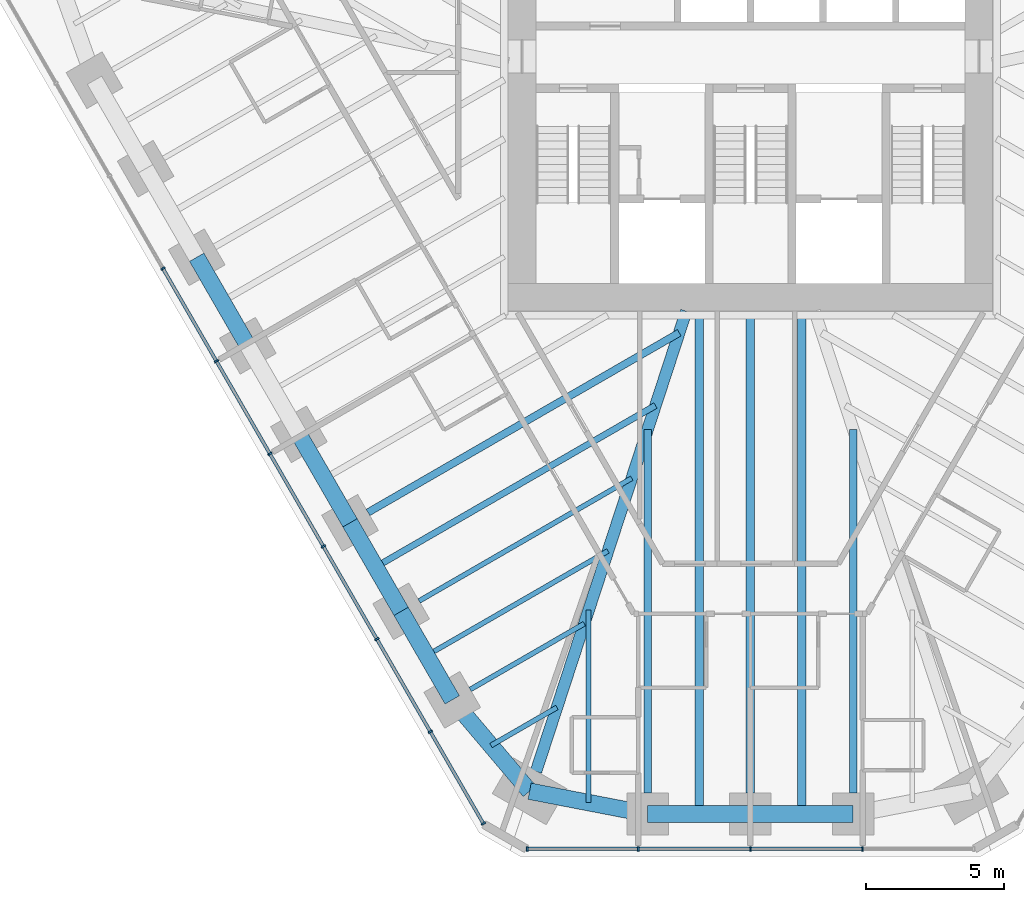
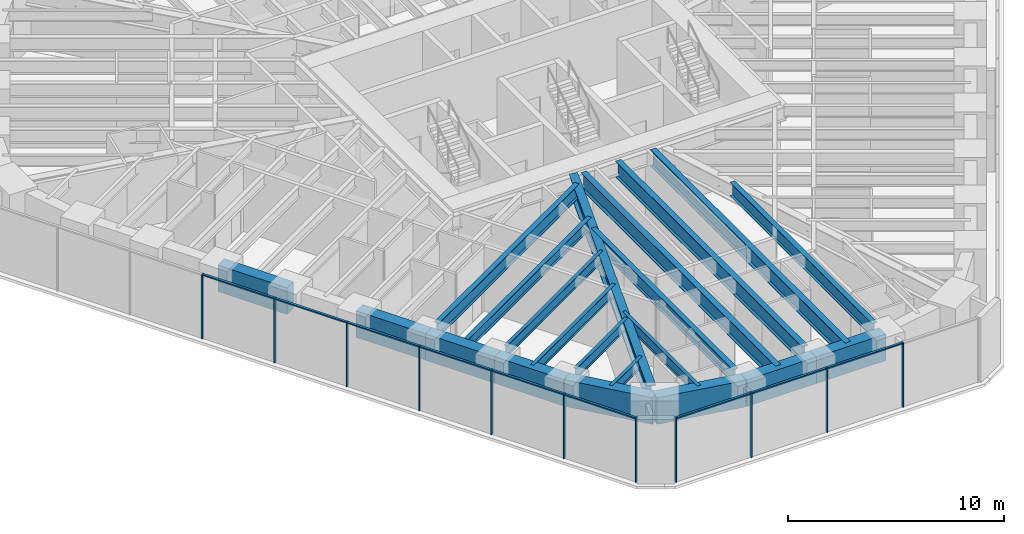
# One storey, part 2 of 16: 21 beams, 20 members, 2 elements without a shape of their own.
"""IFC4 building model written with IfcOpenShell, lengths in metres."""

from ifc_helpers import new_model, si_unit, direction, frame, origin, origin_2d, place, context, subcontext, project, spatial, rectangle, i_section, extrude, material, material_profile, profile_set, type_object, element, aggregate, save


model = new_model("IFC4")

# Units and contexts
model_context = context("Model", 3, precision=1e-05, world=origin(), true_north=direction((0.0, 1.0)))
body_context = subcontext(model_context, "Body", "Model", "MODEL_VIEW")
ifc_project = project(units=[si_unit("LENGTHUNIT", "METRE"), si_unit("AREAUNIT", "SQUARE_METRE"), si_unit("VOLUMEUNIT", "CUBIC_METRE"), si_unit("PLANEANGLEUNIT", "RADIAN"), si_unit("MASSUNIT", "GRAM", prefix="KILO")], contexts=[model_context])

# Site, building, storey
site_placement = place(None, origin())
site = spatial("IfcSite", under=ifc_project, at=site_placement, CompositionType="ELEMENT")
building_placement = place(site_placement, origin())
building = spatial("IfcBuilding", under=site, at=building_placement, Name="Sandreach Pilgrim Tower", CompositionType="ELEMENT")
storey_placement = place(building_placement, frame((0.0, 0.0, 187.0)))
storey = spatial("IfcBuildingStorey", under=building, at=storey_placement, Name="L46", CompositionType="ELEMENT", Elevation=187.0)

# Curtain wall, members
ifc_material_1 = material(Name="Aluminium framed curtain wall", Category="aluminium")
curtain_wall_type = type_object("IfcCurtainWallType", Name="Upper hotel tower curtain wall", PredefinedType="NOTDEFINED", material=ifc_material_1)
curtain_wall_1_placement = place(storey_placement, origin())
curtain_wall_1 = element("IfcCurtainWall", 1, at=curtain_wall_1_placement, inside=storey, type_object=curtain_wall_type, Name="CW-3 L46 S", PredefinedType="NOTDEFINED")
ifc_material_2 = material(Name="Aluminium extrusion", Category="aluminium")
ifc_material_profile_1 = material_profile(ifc_material_2, rectangle(XDim=0.06494140625, YDim=0.159912109375, at=origin_2d()), Name="CW-3M 65X160")
ifc_profile_set_1 = profile_set([ifc_material_profile_1], Name="Aluminium extrusion")
member_type_1 = type_object("IfcMemberType", Name="CW-3 mullion", PredefinedType="MULLION", material=ifc_profile_set_1)
member_1_placement = place(storey_placement, frame((4.048583984375, -26.525146484375, 0.0), z_axis=(0.0, 0.0, 1.0), x_axis=(-1.0, 0.0, 0.0)))
member_1 = element("IfcMember", 2, at=member_1_placement, type_object=member_type_1, Name="CW-3 mullion 2", PredefinedType="MULLION", context=body_context, shape_type="SweptSolid", body=[
    extrude(rectangle(XDim=0.06494140625, YDim=0.159912109375, at=origin_2d()), origin(), (0.0, 0.0, 1.0), 3.639892578125),
])
member_2_placement = place(storey_placement, frame((0.0, -26.525146484375, 0.0), z_axis=(0.0, 0.0, 1.0), x_axis=(-1.0, 0.0, 0.0)))
member_2 = element("IfcMember", 3, at=member_2_placement, type_object=member_type_1, Name="CW-3 mullion 3", PredefinedType="MULLION", context=body_context, shape_type="SweptSolid", body=[
    extrude(rectangle(XDim=0.06494140625, YDim=0.159912109375, at=origin_2d()), origin(), (0.0, 0.0, 1.0), 3.639892578125),
])
member_3_placement = place(storey_placement, frame((-4.048583984375, -26.525146484375, 0.0), z_axis=(0.0, 0.0, 1.0), x_axis=(-1.0, 0.0, 0.0)))
member_3 = element("IfcMember", 4, at=member_3_placement, type_object=member_type_1, Name="CW-3 mullion 4", PredefinedType="MULLION", context=body_context, shape_type="SweptSolid", body=[
    extrude(rectangle(XDim=0.06494140625, YDim=0.159912109375, at=origin_2d()), origin(), (0.0, 0.0, 1.0), 3.639892578125),
])
member_4_placement = place(storey_placement, frame((-8.06494140625, -26.525146484375, 0.0), z_axis=(0.0, 0.0, 1.0), x_axis=(-1.0, 0.0, 0.0)))
member_4 = element("IfcMember", 5, at=member_4_placement, type_object=member_type_1, Name="CW-3 mullion 5", PredefinedType="MULLION", context=body_context, shape_type="SweptSolid", body=[
    extrude(rectangle(XDim=0.06494140625, YDim=0.159912109375, at=origin_2d()), origin(), (0.0, 0.0, 1.0), 3.639892578125),
])

curtain_wall_2_placement = place(storey_placement, origin())
curtain_wall_2 = element("IfcCurtainWall", 6, at=curtain_wall_2_placement, inside=storey, type_object=curtain_wall_type, Name="CW-3 L46 SW", PredefinedType="NOTDEFINED")
member_5_placement = place(storey_placement, frame((-9.646484375, -25.612060546875, 0.0), z_axis=(0.0, 0.0, 1.0), x_axis=(-0.5, 0.866025403784, 0.0)))
member_5 = element("IfcMember", 7, at=member_5_placement, type_object=member_type_1, Name="CW-3 mullion 1", PredefinedType="MULLION", context=body_context, shape_type="SweptSolid", body=[
    extrude(rectangle(XDim=0.06494140625, YDim=0.159912109375, at=origin_2d()), origin(), (0.0, 0.0, 1.0), 3.639892578125),
])
member_6_placement = place(storey_placement, frame((-11.5625, -22.29345703125, 0.0), z_axis=(0.0, 0.0, 1.0), x_axis=(-0.5, 0.866025403784, 0.0)))
member_6 = element("IfcMember", 8, at=member_6_placement, type_object=member_type_1, Name="CW-3 mullion 2", PredefinedType="MULLION", context=body_context, shape_type="SweptSolid", body=[
    extrude(rectangle(XDim=0.06494140625, YDim=0.159912109375, at=origin_2d()), origin(), (0.0, 0.0, 1.0), 3.639892578125),
])
member_7_placement = place(storey_placement, frame((-13.49462890625, -18.94677734375, 0.0), z_axis=(0.0, 0.0, 1.0), x_axis=(-0.5, 0.866025403784, 0.0)))
member_7 = element("IfcMember", 9, at=member_7_placement, type_object=member_type_1, Name="CW-3 mullion 3", PredefinedType="MULLION", context=body_context, shape_type="SweptSolid", body=[
    extrude(rectangle(XDim=0.06494140625, YDim=0.159912109375, at=origin_2d()), origin(), (0.0, 0.0, 1.0), 3.639892578125),
])
member_8_placement = place(storey_placement, frame((-15.4267578125, -15.60009765625, 0.0), z_axis=(0.0, 0.0, 1.0), x_axis=(-0.5, 0.866025403784, 0.0)))
member_8 = element("IfcMember", 10, at=member_8_placement, type_object=member_type_1, Name="CW-3 mullion 4", PredefinedType="MULLION", context=body_context, shape_type="SweptSolid", body=[
    extrude(rectangle(XDim=0.06494140625, YDim=0.159912109375, at=origin_2d()), origin(), (0.0, 0.0, 1.0), 3.639892578125),
])
member_9_placement = place(storey_placement, frame((-17.359130859375, -12.25341796875, 0.0), z_axis=(0.0, 0.0, 1.0), x_axis=(-0.5, 0.866025403784, 0.0)))
member_9 = element("IfcMember", 11, at=member_9_placement, type_object=member_type_1, Name="CW-3 mullion 5", PredefinedType="MULLION", context=body_context, shape_type="SweptSolid", body=[
    extrude(rectangle(XDim=0.06494140625, YDim=0.159912109375, at=origin_2d()), origin(), (0.0, 0.0, 1.0), 3.639892578125),
])
member_10_placement = place(storey_placement, frame((-19.291259765625, -8.90673828125, 0.0), z_axis=(0.0, 0.0, 1.0), x_axis=(-0.5, 0.866025403784, 0.0)))
member_10 = element("IfcMember", 12, at=member_10_placement, type_object=member_type_1, Name="CW-3 mullion 6", PredefinedType="MULLION", context=body_context, shape_type="SweptSolid", body=[
    extrude(rectangle(XDim=0.06494140625, YDim=0.159912109375, at=origin_2d()), origin(), (0.0, 0.0, 1.0), 3.639892578125),
])
member_11_placement = place(storey_placement, frame((-21.223388671875, -5.56005859375, 0.0), z_axis=(0.0, 0.0, 1.0), x_axis=(-0.5, 0.866025403784, 0.0)))
member_11 = element("IfcMember", 13, at=member_11_placement, type_object=member_type_1, Name="CW-3 mullion 7", PredefinedType="MULLION", context=body_context, shape_type="SweptSolid", body=[
    extrude(rectangle(XDim=0.06494140625, YDim=0.159912109375, at=origin_2d()), origin(), (0.0, 0.0, 1.0), 3.639892578125),
])

# Member
ifc_material_3 = material(Name="Aluminium extrusion", Category="aluminium")
ifc_material_profile_2 = material_profile(ifc_material_3, rectangle(XDim=0.1201171875, YDim=0.070068359375, at=origin_2d()), Name="CW-3T 120X70")
ifc_profile_set_2 = profile_set([ifc_material_profile_2], Name="Aluminium extrusion")
member_type_2 = type_object("IfcMemberType", Name="CW-3 transom", PredefinedType="USERDEFINED", material=ifc_profile_set_2)
member_12_placement = place(storey_placement, frame((4.01611328125, -26.525146484375, 3.60498046875), z_axis=(-1.0, 0.0, 0.0), x_axis=(0.0, -1.0, 0.0)))
member_12 = element("IfcMember", 14, at=member_12_placement, type_object=member_type_2, Name="CW-3 head transom 2", ObjectType="TRANSOM", PredefinedType="USERDEFINED", context=body_context, shape_type="SweptSolid", body=[
    extrude(rectangle(XDim=0.1201171875, YDim=0.070068359375, at=origin_2d()), origin(), (0.0, 0.0, 1.0), 3.983642578125),
])

member_13_placement = place(storey_placement, frame((-0.032470703125, -26.525146484375, 3.60498046875), z_axis=(-1.0, 0.0, 0.0), x_axis=(0.0, -1.0, 0.0)))
member_13 = element("IfcMember", 15, at=member_13_placement, type_object=member_type_2, Name="CW-3 head transom 3", ObjectType="TRANSOM", PredefinedType="USERDEFINED", context=body_context, shape_type="SweptSolid", body=[
    extrude(rectangle(XDim=0.1201171875, YDim=0.070068359375, at=origin_2d()), origin(), (0.0, 0.0, 1.0), 3.983642578125),
])

member_14_placement = place(storey_placement, frame((-4.081298828125, -26.525146484375, 3.60498046875), z_axis=(-1.0, 0.0, 0.0), x_axis=(0.0, -1.0, 0.0)))
member_14 = element("IfcMember", 16, at=member_14_placement, type_object=member_type_2, Name="CW-3 head transom 4", ObjectType="TRANSOM", PredefinedType="USERDEFINED", context=body_context, shape_type="SweptSolid", body=[
    extrude(rectangle(XDim=0.1201171875, YDim=0.070068359375, at=origin_2d()), origin(), (0.0, 0.0, 1.0), 3.951171875),
])

aggregate(curtain_wall_1, [member_1, member_2, member_3, member_4, member_12, member_13, member_14])

member_15_placement = place(storey_placement, frame((-9.662841796875, -25.583740234375, 3.60498046875), z_axis=(-0.499973055223, 0.8660409598, 0.0), x_axis=(-0.8660409598, -0.499973055223, 0.0)))
member_15 = element("IfcMember", 17, at=member_15_placement, type_object=member_type_2, Name="CW-3 head transom 1", ObjectType="TRANSOM", PredefinedType="USERDEFINED", context=body_context, shape_type="SweptSolid", body=[
    extrude(rectangle(XDim=0.1201171875, YDim=0.070068359375, at=origin_2d()), origin(), (0.0, 0.0, 1.0), 3.766845703125),
])

member_16_placement = place(storey_placement, frame((-11.57861328125, -22.265380859375, 3.60498046875), z_axis=(-0.500022797313, 0.86601224135, 0.0), x_axis=(-0.86601224135, -0.500022797313, 0.0)))
member_16 = element("IfcMember", 18, at=member_16_placement, type_object=member_type_2, Name="CW-3 head transom 2", ObjectType="TRANSOM", PredefinedType="USERDEFINED", context=body_context, shape_type="SweptSolid", body=[
    extrude(rectangle(XDim=0.1201171875, YDim=0.070068359375, at=origin_2d()), origin(), (0.0, 0.0, 1.0), 3.799560546875),
])

member_17_placement = place(storey_placement, frame((-13.510986328125, -18.918701171875, 3.60498046875), z_axis=(-0.499974606132, 0.866040064445, 0.0), x_axis=(-0.866040064445, -0.499974606132, 0.0)))
member_17 = element("IfcMember", 19, at=member_17_placement, type_object=member_type_2, Name="CW-3 head transom 3", ObjectType="TRANSOM", PredefinedType="USERDEFINED", context=body_context, shape_type="SweptSolid", body=[
    extrude(rectangle(XDim=0.1201171875, YDim=0.070068359375, at=origin_2d()), origin(), (0.0, 0.0, 1.0), 3.799560546875),
])

member_18_placement = place(storey_placement, frame((-15.443115234375, -15.572021484375, 3.60498046875), z_axis=(-0.499974606132, 0.866040064445, 0.0), x_axis=(-0.866040064445, -0.499974606132, 0.0)))
member_18 = element("IfcMember", 20, at=member_18_placement, type_object=member_type_2, Name="CW-3 head transom 4", ObjectType="TRANSOM", PredefinedType="USERDEFINED", context=body_context, shape_type="SweptSolid", body=[
    extrude(rectangle(XDim=0.1201171875, YDim=0.070068359375, at=origin_2d()), origin(), (0.0, 0.0, 1.0), 3.799560546875),
])

member_19_placement = place(storey_placement, frame((-17.375244140625, -12.225341796875, 3.60498046875), z_axis=(-0.500022797313, 0.86601224135, 0.0), x_axis=(-0.86601224135, -0.500022797313, 0.0)))
member_19 = element("IfcMember", 21, at=member_19_placement, type_object=member_type_2, Name="CW-3 head transom 5", ObjectType="TRANSOM", PredefinedType="USERDEFINED", context=body_context, shape_type="SweptSolid", body=[
    extrude(rectangle(XDim=0.1201171875, YDim=0.070068359375, at=origin_2d()), origin(), (0.0, 0.0, 1.0), 3.799560546875),
])

member_20_placement = place(storey_placement, frame((-19.3076171875, -8.878662109375, 3.60498046875), z_axis=(-0.499974606132, 0.866040064445, 0.0), x_axis=(-0.866040064445, -0.499974606132, 0.0)))
member_20 = element("IfcMember", 22, at=member_20_placement, type_object=member_type_2, Name="CW-3 head transom 6", ObjectType="TRANSOM", PredefinedType="USERDEFINED", context=body_context, shape_type="SweptSolid", body=[
    extrude(rectangle(XDim=0.1201171875, YDim=0.070068359375, at=origin_2d()), origin(), (0.0, 0.0, 1.0), 3.799560546875),
])

aggregate(curtain_wall_2, [member_5, member_6, member_7, member_8, member_9, member_10, member_11, member_15, member_16, member_17, member_18, member_19, member_20])

# Beams
ifc_material_4 = material(Name="Steel ASTM A992 Grade 50", Category="steel")
ifc_material_profile_3 = material_profile(ifc_material_4, i_section(OverallWidth=0.421630859375, OverallDepth=0.95751953125, WebThickness=0.02587890625, FlangeThickness=0.046875, at=origin_2d()), Name="W36X330")
ifc_profile_set_3 = profile_set([ifc_material_profile_3], Name="Steel ASTM A992 Grade 50")
beam_type_1 = type_object("IfcBeamType", Name="Corner girder W36X330", PredefinedType="BEAM", material=ifc_profile_set_3)
beam_1_placement = place(storey_placement, frame((-7.745849609375, -23.72900390625, 3.1611328125), z_axis=(0.310317870968, 0.950632851819, 0.0), x_axis=(-0.950632851819, 0.310317870968, 0.0)))
element("IfcBeam", 23, at=beam_1_placement, inside=storey, type_object=beam_type_1, Name="BM L46 CG26", PredefinedType="BEAM", context=body_context, shape_type="SweptSolid", body=[
    extrude(i_section(OverallWidth=0.421630859375, OverallDepth=0.95751953125, WebThickness=0.02587890625, FlangeThickness=0.046875, at=origin_2d()), origin(), (0.0, 0.0, 1.0), 17.492431640625),
])
ifc_material_5 = material(Name="Steel ASTM A992 Grade 50", Category="steel")
ifc_material_profile_4 = material_profile(ifc_material_5, i_section(OverallWidth=0.1787109375, OverallDepth=0.60205078125, WebThickness=0.010986328125, FlangeThickness=0.014892578125, at=origin_2d()), Name="W24X62")
ifc_profile_set_4 = profile_set([ifc_material_profile_4], Name="Steel ASTM A992 Grade 50")
beam_type_2 = type_object("IfcBeamType", Name="Floor beam W24X62", PredefinedType="BEAM", material=ifc_profile_set_4)
beam_2_placement = place(storey_placement, frame((-10.12255859375, -20.767333984375, 3.339111328125), z_axis=(0.86603347311, 0.499986023258, 0.0), x_axis=(-0.499986023258, 0.86603347311, 0.0)))
element("IfcBeam", 24, at=beam_2_placement, inside=storey, type_object=beam_type_2, Name="BM L46 F27", PredefinedType="BEAM", context=body_context, shape_type="SweptSolid", body=[
    extrude(i_section(OverallWidth=0.1787109375, OverallDepth=0.60205078125, WebThickness=0.010986328125, FlangeThickness=0.014892578125, at=origin_2d()), origin(), (0.0, 0.0, 1.0), 4.757568359375),
])
beam_3_placement = place(storey_placement, frame((-11.96875, -17.569580078125, 3.339111328125), z_axis=(0.866020566617, 0.500008378126, 0.0), x_axis=(-0.500008378126, 0.866020566617, 0.0)))
element("IfcBeam", 25, at=beam_3_placement, inside=storey, type_object=beam_type_2, Name="BM L46 F28", PredefinedType="BEAM", context=body_context, shape_type="SweptSolid", body=[
    extrude(i_section(OverallWidth=0.1787109375, OverallDepth=0.60205078125, WebThickness=0.010986328125, FlangeThickness=0.014892578125, at=origin_2d()), origin(), (0.0, 0.0, 1.0), 8.869384765625),
])
beam_4_placement = place(storey_placement, frame((-5.844482421875, -24.853515625, 3.339111328125), z_axis=(0.0, 1.0, 0.0), x_axis=(-1.0, 0.0, 0.0)))
element("IfcBeam", 26, at=beam_4_placement, inside=storey, type_object=beam_type_2, Name="BM L46 FM25", PredefinedType="BEAM", context=body_context, shape_type="SweptSolid", body=[
    extrude(i_section(OverallWidth=0.1787109375, OverallDepth=0.60205078125, WebThickness=0.010986328125, FlangeThickness=0.014892578125, at=origin_2d()), origin(), (0.0, 0.0, 1.0), 6.94921875),
])
beam_5_placement = place(storey_placement, frame((-9.375244140625, -22.7919921875, 3.339111328125), z_axis=(0.866046803606, 0.49996293259, 0.0), x_axis=(-0.49996293259, 0.866046803606, 0.0)))
element("IfcBeam", 27, at=beam_5_placement, inside=storey, type_object=beam_type_2, Name="BM L46 FM26", PredefinedType="BEAM", context=body_context, shape_type="SweptSolid", body=[
    extrude(i_section(OverallWidth=0.1787109375, OverallDepth=0.60205078125, WebThickness=0.010986328125, FlangeThickness=0.014892578125, at=origin_2d()), origin(), (0.0, 0.0, 1.0), 2.753662109375),
])
beam_6_placement = place(storey_placement, frame((-11.6953125, -19.54345703125, 3.339111328125), z_axis=(0.866029704776, 0.49999255039, 0.0), x_axis=(-0.49999255039, 0.866029704776, 0.0)))
element("IfcBeam", 28, at=beam_6_placement, inside=storey, type_object=beam_type_2, Name="BM L46 FM27", PredefinedType="BEAM", context=body_context, shape_type="SweptSolid", body=[
    extrude(i_section(OverallWidth=0.1787109375, OverallDepth=0.60205078125, WebThickness=0.010986328125, FlangeThickness=0.014892578125, at=origin_2d()), origin(), (0.0, 0.0, 1.0), 7.5634765625),
])
ifc_material_6 = material(Name="Steel ASTM A992 Grade 50", Category="steel")
ifc_material_profile_5 = material_profile(ifc_material_6, i_section(OverallWidth=0.23046875, OverallDepth=0.6171875, WebThickness=0.01318359375, FlangeThickness=0.022216796875, at=origin_2d()), Name="W24X94")
ifc_profile_set_5 = profile_set([ifc_material_profile_5], Name="Steel ASTM A992 Grade 50")
beam_type_3 = type_object("IfcBeamType", Name="Floor beam W24X94", PredefinedType="BEAM", material=ifc_profile_set_5)
beam_7_placement = place(storey_placement, frame((-13.54150390625, -16.345703125, 3.331298828125), z_axis=(0.866026454974, 0.499998179282, 0.0), x_axis=(-0.499998179282, 0.866026454974, 0.0)))
element("IfcBeam", 29, at=beam_7_placement, inside=storey, type_object=beam_type_3, Name="BM L46 FM28", PredefinedType="BEAM", context=body_context, shape_type="SweptSolid", body=[
    extrude(i_section(OverallWidth=0.23046875, OverallDepth=0.6171875, WebThickness=0.01318359375, FlangeThickness=0.022216796875, at=origin_2d()), origin(), (0.0, 0.0, 1.0), 11.67578125),
])
ifc_material_7 = material(Name="Steel ASTM A992 Grade 50", Category="steel")
ifc_material_profile_6 = material_profile(ifc_material_7, i_section(OverallWidth=0.2666015625, OverallDepth=0.761962890625, WebThickness=0.014404296875, FlangeThickness=0.021484375, at=origin_2d()), Name="W30X116")
ifc_profile_set_6 = profile_set([ifc_material_profile_6], Name="Steel ASTM A992 Grade 50")
beam_type_4 = type_object("IfcBeamType", Name="Floor beam W30X116", PredefinedType="BEAM", material=ifc_profile_set_6)
for number, where, z_axis, x_axis, name in (
    (30, (3.71044921875, -24.51513671875, 3.259033203125), (0.0, 1.0, 0.0), (-1.0, 0.0, 0.0), "BM L46 F23"),
    (31, (-3.71044921875, -24.51513671875, 3.259033203125), (0.0, 1.0, 0.0), (-1.0, 0.0, 0.0), "BM L46 F25"),
):
    element("IfcBeam", number, at=place(storey_placement, frame(where, z_axis=z_axis, x_axis=x_axis)), inside=storey, type_object=beam_type_4, Name=name, PredefinedType="BEAM", context=body_context, shape_type="SweptSolid", body=[
        extrude(i_section(OverallWidth=0.2666015625, OverallDepth=0.761962890625, WebThickness=0.014404296875, FlangeThickness=0.021484375, at=origin_2d()), origin(), (0.0, 0.0, 1.0), 13.1484375),
    ])
beam_8_placement = place(storey_placement, frame((-13.815185546875, -14.371826171875, 3.259033203125), z_axis=(0.866025240073, 0.500000283557, 0.0), x_axis=(-0.500000283557, 0.866025240073, 0.0)))
element("IfcBeam", 32, at=beam_8_placement, inside=storey, type_object=beam_type_4, Name="BM L46 F29", PredefinedType="BEAM", context=body_context, shape_type="SweptSolid", body=[
    extrude(i_section(OverallWidth=0.2666015625, OverallDepth=0.761962890625, WebThickness=0.014404296875, FlangeThickness=0.021484375, at=origin_2d()), origin(), (0.0, 0.0, 1.0), 12.98193359375),
])
ifc_material_8 = material(Name="Steel ASTM A992 Grade 50", Category="steel")
ifc_material_profile_7 = material_profile(ifc_material_8, i_section(OverallWidth=0.3046875, OverallDepth=0.914306640625, WebThickness=0.0166015625, FlangeThickness=0.02587890625, at=origin_2d()), Name="W36X160")
ifc_profile_set_7 = profile_set([ifc_material_profile_7], Name="Steel ASTM A992 Grade 50")
beam_type_5 = type_object("IfcBeamType", Name="Floor beam W36X160", PredefinedType="BEAM", material=ifc_profile_set_7)
beam_9_placement = place(storey_placement, frame((0.0, -24.51513671875, 3.182861328125), z_axis=(0.0, 1.0, 0.0), x_axis=(-1.0, 0.0, 0.0)))
element("IfcBeam", 33, at=beam_9_placement, inside=storey, type_object=beam_type_5, Name="BM L46 F24", PredefinedType="BEAM", context=body_context, shape_type="SweptSolid", body=[
    extrude(i_section(OverallWidth=0.3046875, OverallDepth=0.914306640625, WebThickness=0.0166015625, FlangeThickness=0.02587890625, at=origin_2d()), origin(), (0.0, 0.0, 1.0), 17.271728515625),
])
for number, where, z_axis, x_axis, name in (
    (34, (1.855224609375, -25.26513671875, 3.182861328125), (0.0, 1.0, 0.0), (-1.0, 0.0, 0.0), "BM L46 FM23"),
    (35, (-1.855224609375, -25.26513671875, 3.182861328125), (0.0, 1.0, 0.0), (-1.0, 0.0, 0.0), "BM L46 FM24"),
):
    element("IfcBeam", number, at=place(storey_placement, frame(where, z_axis=z_axis, x_axis=x_axis)), inside=storey, type_object=beam_type_5, Name=name, PredefinedType="BEAM", context=body_context, shape_type="SweptSolid", body=[
        extrude(i_section(OverallWidth=0.3046875, OverallDepth=0.914306640625, WebThickness=0.0166015625, FlangeThickness=0.02587890625, at=origin_2d()), origin(), (0.0, 0.0, 1.0), 18.021728515625),
    ])
ifc_material_9 = material(Name="Concrete 10000 psi", Category="concrete")
ifc_material_profile_8 = material_profile(ifc_material_9, rectangle(XDim=0.60009765625, YDim=1.5, at=origin_2d()), Name="RC600X1500")
ifc_profile_set_8 = profile_set([ifc_material_profile_8], Name="Concrete 10000 psi")
beam_type_6 = type_object("IfcBeamType", Name="Spandrel beam RC600X1500", PredefinedType="SPANDREL", material=ifc_profile_set_8)
for number, where, z_axis, x_axis, name in (
    (36, (3.71044921875, -25.26513671875, 2.889892578125), (-1.0, 0.0, 0.0), (0.0, -1.0, 0.0), "BM L46 SP23"),
    (37, (0.0, -25.26513671875, 2.889892578125), (-1.0, 0.0, 0.0), (0.0, -1.0, 0.0), "BM L46 SP24"),
):
    element("IfcBeam", number, at=place(storey_placement, frame(where, z_axis=z_axis, x_axis=x_axis)), inside=storey, type_object=beam_type_6, Name=name, PredefinedType="SPANDREL", context=body_context, shape_type="SweptSolid", body=[
        extrude(rectangle(XDim=0.60009765625, YDim=1.5, at=origin_2d()), origin(), (0.0, 0.0, 1.0), 3.71044921875),
    ])
beam_10_placement = place(storey_placement, frame((-3.71044921875, -25.26513671875, 2.889892578125), z_axis=(-0.981901333807, 0.18939316426, 0.0), x_axis=(-0.18939316426, -0.981901333807, 0.0)))
element("IfcBeam", 38, at=beam_10_placement, inside=storey, type_object=beam_type_6, Name="BM L46 SP25", PredefinedType="SPANDREL", context=body_context, shape_type="SweptSolid", body=[
    extrude(rectangle(XDim=0.60009765625, YDim=1.5, at=origin_2d()), origin(), (0.0, 0.0, 1.0), 4.3466796875),
])
beam_11_placement = place(storey_placement, frame((-7.978515625, -24.44189453125, 2.889892578125), z_axis=(-0.646180160755, 0.76318490541, 0.0), x_axis=(-0.76318490541, -0.646180160755, 0.0)))
element("IfcBeam", 39, at=beam_11_placement, inside=storey, type_object=beam_type_6, Name="BM L46 SP26", PredefinedType="SPANDREL", context=body_context, shape_type="SweptSolid", body=[
    extrude(rectangle(XDim=0.60009765625, YDim=1.5, at=origin_2d()), origin(), (0.0, 0.0, 1.0), 4.323486328125),
])
for number, where, z_axis, x_axis, name in (
    (40, (-10.772216796875, -21.142333984375, 2.889892578125), (-0.499993363642, 0.866029235253, 0.0), (-0.866029235253, -0.499993363642, 0.0), "BM L46 SP27"),
    (41, (-12.618408203125, -17.944580078125, 2.889892578125), (-0.499993363642, 0.866029235253, 0.0), (-0.866029235253, -0.499993363642, 0.0), "BM L46 SP28"),
):
    element("IfcBeam", number, at=place(storey_placement, frame(where, z_axis=z_axis, x_axis=x_axis)), inside=storey, type_object=beam_type_6, Name=name, PredefinedType="SPANDREL", context=body_context, shape_type="SweptSolid", body=[
        extrude(rectangle(XDim=0.60009765625, YDim=1.5, at=origin_2d()), origin(), (0.0, 0.0, 1.0), 3.6923828125),
    ])
beam_12_placement = place(storey_placement, frame((-14.464599609375, -14.746826171875, 2.889892578125), z_axis=(-0.49996473481, 0.866045763194, 0.0), x_axis=(-0.866045763194, -0.49996473481, 0.0)))
element("IfcBeam", 42, at=beam_12_placement, inside=storey, type_object=beam_type_6, Name="BM L46 SP29", PredefinedType="SPANDREL", context=body_context, shape_type="SweptSolid", body=[
    extrude(rectangle(XDim=0.60009765625, YDim=1.5, at=origin_2d()), origin(), (0.0, 0.0, 1.0), 3.692626953125),
])
beam_13_placement = place(storey_placement, frame((-18.1572265625, -8.35107421875, 2.889892578125), z_axis=(-0.499993363642, 0.866029235253, 0.0), x_axis=(-0.866029235253, -0.499993363642, 0.0)))
element("IfcBeam", 43, at=beam_13_placement, inside=storey, type_object=beam_type_6, Name="BM L46 SP31", PredefinedType="SPANDREL", context=body_context, shape_type="SweptSolid", body=[
    extrude(rectangle(XDim=0.60009765625, YDim=1.5, at=origin_2d()), origin(), (0.0, 0.0, 1.0), 3.6923828125),
])

save(model, "model.ifc")
